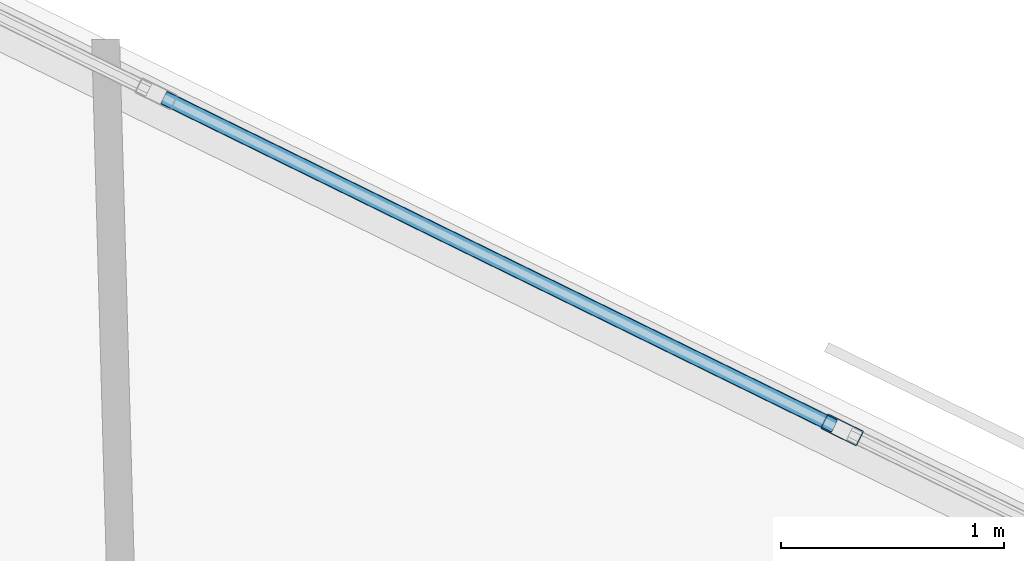
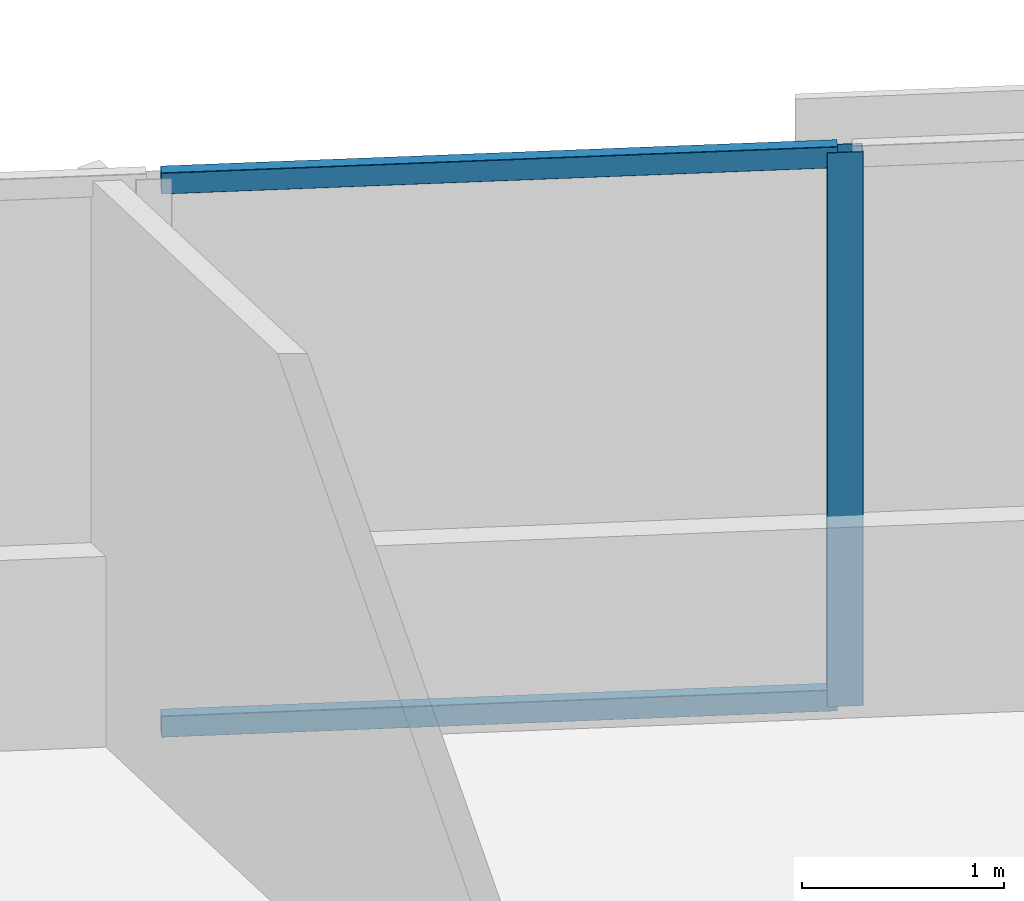
# One storey, part 11 of 18: 3 members, 1 element without a shape of its own.
"""IFC4 building model written with IfcOpenShell, lengths in metres."""

from ifc_helpers import new_model, si_unit, direction, frame, origin, origin_2d, place, context, subcontext, project, spatial, hollow_rectangle, extrude, material, material_profile, profile_set, type_object, element, aggregate, save


model = new_model("IFC4")

# Units and contexts
model_context = context("Model", 3, precision=1e-05, world=origin(), true_north=direction((0.0, 1.0)))
body_context = subcontext(model_context, "Body", "Model", "MODEL_VIEW")
ifc_project = project(units=[si_unit("LENGTHUNIT", "METRE"), si_unit("AREAUNIT", "SQUARE_METRE"), si_unit("VOLUMEUNIT", "CUBIC_METRE"), si_unit("PLANEANGLEUNIT", "RADIAN"), si_unit("MASSUNIT", "GRAM", prefix="KILO")], contexts=[model_context])

# Site, building, storey
site_placement = place(None, origin())
site = spatial("IfcSite", under=ifc_project, at=site_placement, CompositionType="ELEMENT")
building_placement = place(site_placement, origin())
building = spatial("IfcBuilding", under=site, at=building_placement, Name="Narakoshi Arena Tower", CompositionType="ELEMENT")
storey_placement = place(building_placement, frame((0.0, 0.0, 120.89990234375)))
storey = spatial("IfcBuildingStorey", under=building, at=storey_placement, Name="L32", CompositionType="ELEMENT", Elevation=120.89990234375)

# Curtain wall, members
ifc_material = material(Name="Anodised bronze aluminium 6063-T6", Category="aluminium")
curtain_wall_type = type_object("IfcCurtainWallType", Name="CW-HYP-LOW", PredefinedType="NOTDEFINED", material=ifc_material)
curtain_wall_placement = place(storey_placement, origin())
curtain_wall = element("IfcCurtainWall", 1, at=curtain_wall_placement, inside=storey, type_object=curtain_wall_type, Name="L32 Folded Hypotenuse Curtain Wall 2-1", PredefinedType="NOTDEFINED")
ifc_material_profile_1 = material_profile(ifc_material, hollow_rectangle(XDim=0.074951171875, YDim=0.179931640625, WallThickness=0.00390625, OuterFilletRadius=0.0048828125, at=origin_2d()), Name="MUL180x75x4")
ifc_profile_set_1 = profile_set([ifc_material_profile_1], Name="Anodised bronze aluminium 6063-T6")
member_type_1 = type_object("IfcMemberType", Name="MEM-MUL-180", PredefinedType="MULLION", material=ifc_profile_set_1)
member_1_placement = place(storey_placement, frame((81.486083984375, 65.51025390625, 0.0), z_axis=(0.0, 0.0, 1.0), x_axis=(-0.440004510198, -0.89799556291, 0.0)))
member_1 = element("IfcMember", 2, at=member_1_placement, type_object=member_type_1, Name="CW-01 mullion 3", PredefinedType="MULLION", context=body_context, shape_type="SweptSolid", body=[
    extrude(hollow_rectangle(XDim=0.074951171875, YDim=0.179931640625, WallThickness=0.00390625, OuterFilletRadius=0.0048828125, at=origin_2d()), origin(), (0.0, 0.0, 1.0), 3.340087890625),
])
ifc_material_profile_2 = material_profile(ifc_material, hollow_rectangle(XDim=0.06494140625, YDim=0.1298828125, WallThickness=0.00390625, OuterFilletRadius=0.0048828125, at=origin_2d()), Name="TRN130x65x4")
ifc_profile_set_2 = profile_set([ifc_material_profile_2], Name="Anodised bronze aluminium 6063-T6")
member_type_2 = type_object("IfcMemberType", Name="MEM-TRN-130", PredefinedType="USERDEFINED", material=ifc_profile_set_2)
member_2_placement = place(storey_placement, frame((81.452392578125, 65.52685546875, 0.03271484375), z_axis=(-0.898000963691, 0.439993487691, 0.0), x_axis=(-0.439993487691, -0.898000963691, 0.0)))
member_2 = element("IfcMember", 3, at=member_2_placement, type_object=member_type_2, Name="CW-01 transom 3.1", ObjectType="TRANSOM", PredefinedType="USERDEFINED", context=body_context, shape_type="SweptSolid", body=[
    extrude(hollow_rectangle(XDim=0.06494140625, YDim=0.1298828125, WallThickness=0.00390625, OuterFilletRadius=0.0048828125, at=origin_2d()), origin(), (0.0, 0.0, 1.0), 3.34765625),
])
member_3_placement = place(storey_placement, frame((81.452392578125, 65.52685546875, 3.3076171875), z_axis=(-0.898000963691, 0.439993487691, 0.0), x_axis=(-0.439993487691, -0.898000963691, 0.0)))
member_3 = element("IfcMember", 4, at=member_3_placement, type_object=member_type_2, Name="CW-01 transom 3.2", ObjectType="TRANSOM", PredefinedType="USERDEFINED", context=body_context, shape_type="SweptSolid", body=[
    extrude(hollow_rectangle(XDim=0.06494140625, YDim=0.1298828125, WallThickness=0.00390625, OuterFilletRadius=0.0048828125, at=origin_2d()), origin(), (0.0, 0.0, 1.0), 3.34765625),
])
aggregate(curtain_wall, [member_1, member_2, member_3])

save(model, "model.ifc")
